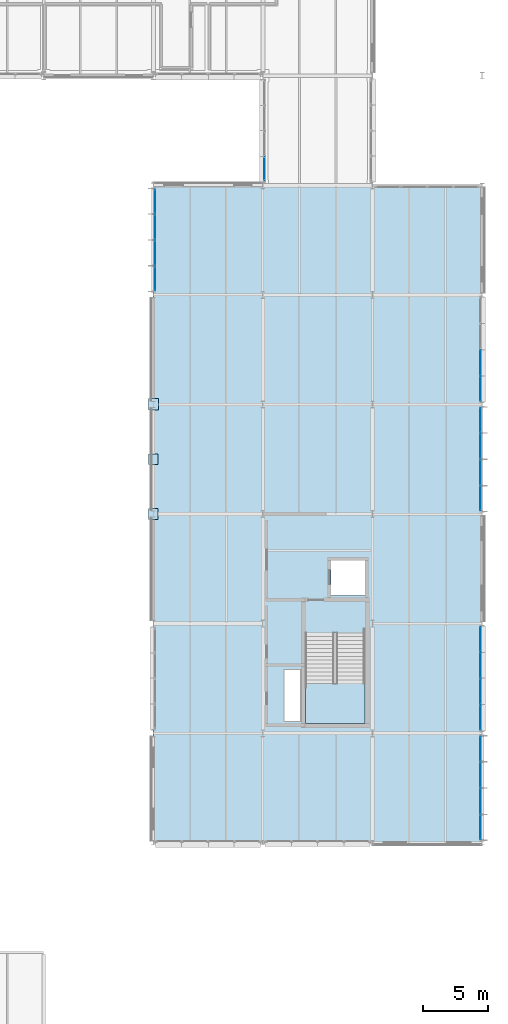
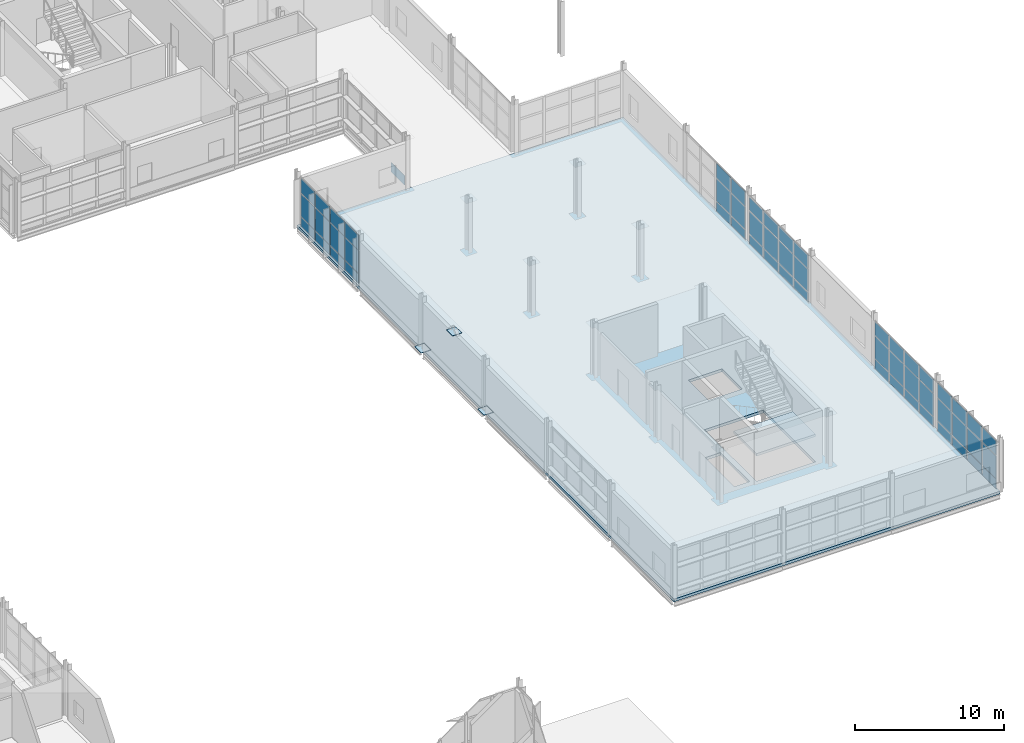
# One storey, part 90 of 129: 58 plates, 2 slabs, 7 elements without a shape of their own.
"""IFC4 building model written with IfcOpenShell, lengths in metres."""

from ifc_helpers import new_model, si_unit, direction, frame, origin, origin_2d, place, context, subcontext, project, spatial, polyline, rectangle, outline, extrude, material, layer, layer_set, type_object, element, aggregate, save


model = new_model("IFC4")

# Units and contexts
model_context = context("Model", 3, precision=1e-05, world=origin(), true_north=direction((0.0, 1.0)))
body_context = subcontext(model_context, "Body", "Model", "MODEL_VIEW")
ifc_project = project(units=[si_unit("LENGTHUNIT", "METRE"), si_unit("AREAUNIT", "SQUARE_METRE"), si_unit("VOLUMEUNIT", "CUBIC_METRE"), si_unit("PLANEANGLEUNIT", "RADIAN"), si_unit("MASSUNIT", "GRAM", prefix="KILO")], contexts=[model_context])

# Site, building, storey
site_placement = place(None, origin())
site = spatial("IfcSite", under=ifc_project, at=site_placement, CompositionType="ELEMENT")
building_placement = place(site_placement, origin())
building = spatial("IfcBuilding", under=site, at=building_placement, Name="Mersafa Astral City Hall", CompositionType="ELEMENT")
storey_placement = place(building_placement, frame((0.0, 0.0, 5.39990234375)))
storey = spatial("IfcBuildingStorey", under=building, at=storey_placement, Name="L01", CompositionType="ELEMENT", Elevation=5.39990234375)

# Curtain wall, plates
ifc_material_1 = material(Name="Anodised bronze aluminium framing", Category="aluminium")
curtain_wall_type_1 = type_object("IfcCurtainWallType", Name="ENV-CW-1", PredefinedType="USERDEFINED", material=ifc_material_1)
curtain_wall_1_placement = place(storey_placement, origin())
curtain_wall_1 = element("IfcCurtainWall", 1, at=curtain_wall_1_placement, inside=storey, type_object=curtain_wall_type_1, Name="L01 Unitised solar curtain wall 72", ObjectType="UNITISED CURTAIN WALL", PredefinedType="USERDEFINED")
ifc_material_2 = material(Name="Solar control low-e double glazing", Category="glass")
ifc_layer_1 = layer(ifc_material_2, 0.028076171875, Name="Solar control low-e double glazing")
ifc_layer_set_1 = layer_set([ifc_layer_1], Name="Solar control low-e double glazing — ENV-CW-PNL-GLZ-1")
plate_type_1 = type_object("IfcPlateType", Name="ENV-CW-PNL-GLZ-1", PredefinedType="CURTAIN_PANEL", material=ifc_layer_set_1)
plate_1_placement = place(storey_placement, frame((184.679931640625, 68.401611328125, 0.05810546875), z_axis=(0.0, 0.0, 1.0), x_axis=(0.0, 1.0, 0.0)))
plate_1 = element("IfcPlate", 2, at=plate_1_placement, type_object=plate_type_1, Name="CW-1 panel 1.1", PredefinedType="CURTAIN_PANEL", context=body_context, shape_type="SweptSolid", body=[
    extrude(rectangle(XDim=1.839111328125, YDim=0.028076171875, at=origin_2d()), origin(), (0.0, 0.0, 1.0), 0.761962890625),
])
plate_2_placement = place(storey_placement, frame((184.679931640625, 68.401611328125, 0.8798828125), z_axis=(0.0, 0.0, 1.0), x_axis=(0.0, 1.0, 0.0)))
plate_2 = element("IfcPlate", 3, at=plate_2_placement, type_object=plate_type_1, Name="CW-1 panel 1.2", PredefinedType="CURTAIN_PANEL", context=body_context, shape_type="SweptSolid", body=[
    extrude(rectangle(XDim=1.839111328125, YDim=0.028076171875, at=origin_2d()), origin(), (0.0, 0.0, 1.0), 1.840087890625),
])
plate_3_placement = place(storey_placement, frame((184.679931640625, 68.401611328125, 2.7802734375), z_axis=(0.0, 0.0, 1.0), x_axis=(0.0, 1.0, 0.0)))
plate_3 = element("IfcPlate", 4, at=plate_3_placement, type_object=plate_type_1, Name="CW-1 panel 1.3", PredefinedType="CURTAIN_PANEL", context=body_context, shape_type="SweptSolid", body=[
    extrude(rectangle(XDim=1.839111328125, YDim=0.028076171875, at=origin_2d()), origin(), (0.0, 0.0, 1.0), 1.096923828125),
])
plate_4_placement = place(storey_placement, frame((184.679931640625, 70.390380859375, 0.05810546875), z_axis=(0.0, 0.0, 1.0), x_axis=(0.0, 1.0, 0.0)))
plate_4 = element("IfcPlate", 5, at=plate_4_placement, type_object=plate_type_1, Name="CW-1 panel 2.1", PredefinedType="CURTAIN_PANEL", context=body_context, shape_type="SweptSolid", body=[
    extrude(rectangle(XDim=1.89892578125, YDim=0.028076171875, at=origin_2d()), origin(), (0.0, 0.0, 1.0), 0.761962890625),
])
plate_5_placement = place(storey_placement, frame((184.679931640625, 70.390380859375, 0.8798828125), z_axis=(0.0, 0.0, 1.0), x_axis=(0.0, 1.0, 0.0)))
plate_5 = element("IfcPlate", 6, at=plate_5_placement, type_object=plate_type_1, Name="CW-1 panel 2.2", PredefinedType="CURTAIN_PANEL", context=body_context, shape_type="SweptSolid", body=[
    extrude(rectangle(XDim=1.89892578125, YDim=0.028076171875, at=origin_2d()), origin(), (0.0, 0.0, 1.0), 1.840087890625),
])
plate_6_placement = place(storey_placement, frame((184.679931640625, 70.390380859375, 2.7802734375), z_axis=(0.0, 0.0, 1.0), x_axis=(0.0, 1.0, 0.0)))
plate_6 = element("IfcPlate", 7, at=plate_6_placement, type_object=plate_type_1, Name="CW-1 panel 2.3", PredefinedType="CURTAIN_PANEL", context=body_context, shape_type="SweptSolid", body=[
    extrude(rectangle(XDim=1.89892578125, YDim=0.028076171875, at=origin_2d()), origin(), (0.0, 0.0, 1.0), 1.096923828125),
])
plate_7_placement = place(storey_placement, frame((184.679931640625, 72.409423828125, 0.05810546875), z_axis=(0.0, 0.0, 1.0), x_axis=(0.0, 1.0, 0.0)))
plate_7 = element("IfcPlate", 8, at=plate_7_placement, type_object=plate_type_1, Name="CW-1 panel 3.1", PredefinedType="CURTAIN_PANEL", context=body_context, shape_type="SweptSolid", body=[
    extrude(rectangle(XDim=1.89892578125, YDim=0.028076171875, at=origin_2d()), origin(), (0.0, 0.0, 1.0), 0.761962890625),
])
plate_8_placement = place(storey_placement, frame((184.679931640625, 72.409423828125, 0.8798828125), z_axis=(0.0, 0.0, 1.0), x_axis=(0.0, 1.0, 0.0)))
plate_8 = element("IfcPlate", 9, at=plate_8_placement, type_object=plate_type_1, Name="CW-1 panel 3.2", PredefinedType="CURTAIN_PANEL", context=body_context, shape_type="SweptSolid", body=[
    extrude(rectangle(XDim=1.89892578125, YDim=0.028076171875, at=origin_2d()), origin(), (0.0, 0.0, 1.0), 1.840087890625),
])
plate_9_placement = place(storey_placement, frame((184.679931640625, 72.409423828125, 2.7802734375), z_axis=(0.0, 0.0, 1.0), x_axis=(0.0, 1.0, 0.0)))
plate_9 = element("IfcPlate", 10, at=plate_9_placement, type_object=plate_type_1, Name="CW-1 panel 3.3", PredefinedType="CURTAIN_PANEL", context=body_context, shape_type="SweptSolid", body=[
    extrude(rectangle(XDim=1.89892578125, YDim=0.028076171875, at=origin_2d()), origin(), (0.0, 0.0, 1.0), 1.096923828125),
])
plate_10_placement = place(storey_placement, frame((184.679931640625, 74.3984375, 0.05810546875), z_axis=(0.0, 0.0, 1.0), x_axis=(0.0, 1.0, 0.0)))
plate_10 = element("IfcPlate", 11, at=plate_10_placement, type_object=plate_type_1, Name="CW-1 panel 4.1", PredefinedType="CURTAIN_PANEL", context=body_context, shape_type="SweptSolid", body=[
    extrude(rectangle(XDim=1.839111328125, YDim=0.028076171875, at=origin_2d()), origin(), (0.0, 0.0, 1.0), 0.761962890625),
])
plate_11_placement = place(storey_placement, frame((184.679931640625, 74.3984375, 0.8798828125), z_axis=(0.0, 0.0, 1.0), x_axis=(0.0, 1.0, 0.0)))
plate_11 = element("IfcPlate", 12, at=plate_11_placement, type_object=plate_type_1, Name="CW-1 panel 4.2", PredefinedType="CURTAIN_PANEL", context=body_context, shape_type="SweptSolid", body=[
    extrude(rectangle(XDim=1.839111328125, YDim=0.028076171875, at=origin_2d()), origin(), (0.0, 0.0, 1.0), 1.840087890625),
])
plate_12_placement = place(storey_placement, frame((184.679931640625, 74.3984375, 2.7802734375), z_axis=(0.0, 0.0, 1.0), x_axis=(0.0, 1.0, 0.0)))
plate_12 = element("IfcPlate", 13, at=plate_12_placement, type_object=plate_type_1, Name="CW-1 panel 4.3", PredefinedType="CURTAIN_PANEL", context=body_context, shape_type="SweptSolid", body=[
    extrude(rectangle(XDim=1.839111328125, YDim=0.028076171875, at=origin_2d()), origin(), (0.0, 0.0, 1.0), 1.096923828125),
])
aggregate(curtain_wall_1, [plate_1, plate_2, plate_3, plate_4, plate_5, plate_6, plate_7, plate_8, plate_9, plate_10, plate_11, plate_12])

# Curtain wall, plate
curtain_wall_type_2 = type_object("IfcCurtainWallType", Name="ENV-CW-6", PredefinedType="USERDEFINED", material=ifc_material_1)
curtain_wall_2_placement = place(storey_placement, origin())
curtain_wall_2 = element("IfcCurtainWall", 14, at=curtain_wall_2_placement, inside=storey, type_object=curtain_wall_type_2, Name="L01 Unitised solar curtain wall 65", ObjectType="UNITISED CURTAIN WALL", PredefinedType="USERDEFINED")
ifc_layer_2 = layer(ifc_material_2, 0.031982421875, Name="Solar control low-e double glazing")
ifc_layer_set_2 = layer_set([ifc_layer_2], Name="Solar control low-e double glazing — ENV-CW-PNL-GLZ-2")
plate_type_2 = type_object("IfcPlateType", Name="ENV-CW-PNL-GLZ-2", PredefinedType="CURTAIN_PANEL", material=ifc_layer_set_2)
plate_13_placement = place(storey_placement, frame((168.1201171875, 93.670166015625, 0.05810546875), z_axis=(0.0, 0.0, 1.0), x_axis=(0.0, -1.0, 0.0)))
plate_13 = element("IfcPlate", 15, at=plate_13_placement, type_object=plate_type_2, Name="CW-6 panel 4.1", PredefinedType="CURTAIN_PANEL", context=body_context, shape_type="SweptSolid", body=[
    extrude(rectangle(XDim=1.776611328125, YDim=0.031982421875, at=origin_2d()), origin(), (0.0, 0.0, 1.0), 0.761962890625),
])
aggregate(curtain_wall_2, [plate_13])

# Curtain wall, plates
curtain_wall_type_3 = type_object("IfcCurtainWallType", Name="ENV-CW-2", PredefinedType="USERDEFINED", material=ifc_material_1)
curtain_wall_3_placement = place(storey_placement, origin())
curtain_wall_3 = element("IfcCurtainWall", 16, at=curtain_wall_3_placement, inside=storey, type_object=curtain_wall_type_3, Name="L01 Unitised solar curtain wall 73", ObjectType="UNITISED CURTAIN WALL", PredefinedType="USERDEFINED")
plate_14_placement = place(storey_placement, frame((184.679931640625, 76.801513671875, 0.05810546875), z_axis=(0.0, 0.0, 1.0), x_axis=(0.0, 1.0, 0.0)))
plate_14 = element("IfcPlate", 17, at=plate_14_placement, type_object=plate_type_2, Name="CW-2 panel 1.1", PredefinedType="CURTAIN_PANEL", context=body_context, shape_type="SweptSolid", body=[
    extrude(rectangle(XDim=1.839111328125, YDim=0.031982421875, at=origin_2d()), origin(), (0.0, 0.0, 1.0), 0.761962890625),
])
plate_15_placement = place(storey_placement, frame((184.679931640625, 76.801513671875, 0.8798828125), z_axis=(0.0, 0.0, 1.0), x_axis=(0.0, 1.0, 0.0)))
plate_15 = element("IfcPlate", 18, at=plate_15_placement, type_object=plate_type_2, Name="CW-2 panel 1.2", PredefinedType="CURTAIN_PANEL", context=body_context, shape_type="SweptSolid", body=[
    extrude(rectangle(XDim=1.839111328125, YDim=0.031982421875, at=origin_2d()), origin(), (0.0, 0.0, 1.0), 1.840087890625),
])
plate_16_placement = place(storey_placement, frame((184.679931640625, 76.801513671875, 2.780029296875), z_axis=(0.0, 0.0, 1.0), x_axis=(0.0, 1.0, 0.0)))
plate_16 = element("IfcPlate", 19, at=plate_16_placement, type_object=plate_type_2, Name="CW-2 panel 1.3", PredefinedType="CURTAIN_PANEL", context=body_context, shape_type="SweptSolid", body=[
    extrude(rectangle(XDim=1.839111328125, YDim=0.031982421875, at=origin_2d()), origin(), (0.0, 0.0, 1.0), 1.18701171875),
])
plate_17_placement = place(storey_placement, frame((184.679931640625, 78.79052734375, 0.05810546875), z_axis=(0.0, 0.0, 1.0), x_axis=(0.0, 1.0, 0.0)))
plate_17 = element("IfcPlate", 20, at=plate_17_placement, type_object=plate_type_2, Name="CW-2 panel 2.1", PredefinedType="CURTAIN_PANEL", context=body_context, shape_type="SweptSolid", body=[
    extrude(rectangle(XDim=1.89892578125, YDim=0.031982421875, at=origin_2d()), origin(), (0.0, 0.0, 1.0), 0.761962890625),
])
plate_18_placement = place(storey_placement, frame((184.679931640625, 78.79052734375, 0.8798828125), z_axis=(0.0, 0.0, 1.0), x_axis=(0.0, 1.0, 0.0)))
plate_18 = element("IfcPlate", 21, at=plate_18_placement, type_object=plate_type_2, Name="CW-2 panel 2.2", PredefinedType="CURTAIN_PANEL", context=body_context, shape_type="SweptSolid", body=[
    extrude(rectangle(XDim=1.89892578125, YDim=0.031982421875, at=origin_2d()), origin(), (0.0, 0.0, 1.0), 1.840087890625),
])
plate_19_placement = place(storey_placement, frame((184.679931640625, 78.79052734375, 2.780029296875), z_axis=(0.0, 0.0, 1.0), x_axis=(0.0, 1.0, 0.0)))
plate_19 = element("IfcPlate", 22, at=plate_19_placement, type_object=plate_type_2, Name="CW-2 panel 2.3", PredefinedType="CURTAIN_PANEL", context=body_context, shape_type="SweptSolid", body=[
    extrude(rectangle(XDim=1.89892578125, YDim=0.031982421875, at=origin_2d()), origin(), (0.0, 0.0, 1.0), 1.18701171875),
])
aggregate(curtain_wall_3, [plate_14, plate_15, plate_16, plate_17, plate_18, plate_19])

curtain_wall_4_placement = place(storey_placement, origin())
curtain_wall_4 = element("IfcCurtainWall", 23, at=curtain_wall_4_placement, inside=storey, type_object=curtain_wall_type_1, Name="L01 Unitised solar curtain wall 66", ObjectType="UNITISED CURTAIN WALL", PredefinedType="USERDEFINED")
ifc_layer_3 = layer(ifc_material_2, 0.035888671875, Name="Solar control low-e double glazing")
ifc_layer_set_3 = layer_set([ifc_layer_3], Name="Solar control low-e double glazing — ENV-CW-PNL-GLZ-3")
plate_type_3 = type_object("IfcPlateType", Name="ENV-CW-PNL-GLZ-3", PredefinedType="CURTAIN_PANEL", material=ifc_layer_set_3)
plate_20_placement = place(storey_placement, frame((159.719970703125, 91.1640625, 0.05810546875), z_axis=(0.0, 0.0, 1.0), x_axis=(0.0, -1.0, 0.0)))
plate_20 = element("IfcPlate", 24, at=plate_20_placement, type_object=plate_type_3, Name="CW-1 panel 1.1", PredefinedType="CURTAIN_PANEL", context=body_context, shape_type="SweptSolid", body=[
    extrude(rectangle(XDim=1.807861328125, YDim=0.035888671875, at=origin_2d()), origin(), (0.0, 0.0, 1.0), 0.761962890625),
])
plate_21_placement = place(storey_placement, frame((159.719970703125, 91.1640625, 0.8798828125), z_axis=(0.0, 0.0, 1.0), x_axis=(0.0, -1.0, 0.0)))
plate_21 = element("IfcPlate", 25, at=plate_21_placement, type_object=plate_type_3, Name="CW-1 panel 1.2", PredefinedType="CURTAIN_PANEL", context=body_context, shape_type="SweptSolid", body=[
    extrude(rectangle(XDim=1.807861328125, YDim=0.035888671875, at=origin_2d()), origin(), (0.0, 0.0, 1.0), 1.840087890625),
])
plate_22_placement = place(storey_placement, frame((159.719970703125, 91.1640625, 2.780029296875), z_axis=(0.0, 0.0, 1.0), x_axis=(0.0, -1.0, 0.0)))
plate_22 = element("IfcPlate", 26, at=plate_22_placement, type_object=plate_type_3, Name="CW-1 panel 1.3", PredefinedType="CURTAIN_PANEL", context=body_context, shape_type="SweptSolid", body=[
    extrude(rectangle(XDim=1.807861328125, YDim=0.035888671875, at=origin_2d()), origin(), (0.0, 0.0, 1.0), 1.18701171875),
])
plate_23_placement = place(storey_placement, frame((159.719970703125, 89.206298828125, 0.05810546875), z_axis=(0.0, 0.0, 1.0), x_axis=(0.0, -1.0, 0.0)))
plate_23 = element("IfcPlate", 27, at=plate_23_placement, type_object=plate_type_3, Name="CW-1 panel 2.1", PredefinedType="CURTAIN_PANEL", context=body_context, shape_type="SweptSolid", body=[
    extrude(rectangle(XDim=1.86767578125, YDim=0.035888671875, at=origin_2d()), origin(), (0.0, 0.0, 1.0), 0.761962890625),
])
plate_24_placement = place(storey_placement, frame((159.719970703125, 89.206298828125, 0.8798828125), z_axis=(0.0, 0.0, 1.0), x_axis=(0.0, -1.0, 0.0)))
plate_24 = element("IfcPlate", 28, at=plate_24_placement, type_object=plate_type_3, Name="CW-1 panel 2.2", PredefinedType="CURTAIN_PANEL", context=body_context, shape_type="SweptSolid", body=[
    extrude(rectangle(XDim=1.86767578125, YDim=0.035888671875, at=origin_2d()), origin(), (0.0, 0.0, 1.0), 1.840087890625),
])
plate_25_placement = place(storey_placement, frame((159.719970703125, 89.206298828125, 2.780029296875), z_axis=(0.0, 0.0, 1.0), x_axis=(0.0, -1.0, 0.0)))
plate_25 = element("IfcPlate", 29, at=plate_25_placement, type_object=plate_type_3, Name="CW-1 panel 2.3", PredefinedType="CURTAIN_PANEL", context=body_context, shape_type="SweptSolid", body=[
    extrude(rectangle(XDim=1.86767578125, YDim=0.035888671875, at=origin_2d()), origin(), (0.0, 0.0, 1.0), 1.18701171875),
])
plate_26_placement = place(storey_placement, frame((159.719970703125, 87.218505859375, 0.05810546875), z_axis=(0.0, 0.0, 1.0), x_axis=(0.0, -1.0, 0.0)))
plate_26 = element("IfcPlate", 30, at=plate_26_placement, type_object=plate_type_3, Name="CW-1 panel 3.1", PredefinedType="CURTAIN_PANEL", context=body_context, shape_type="SweptSolid", body=[
    extrude(rectangle(XDim=1.86767578125, YDim=0.035888671875, at=origin_2d()), origin(), (0.0, 0.0, 1.0), 0.761962890625),
])
plate_27_placement = place(storey_placement, frame((159.719970703125, 87.218505859375, 0.8798828125), z_axis=(0.0, 0.0, 1.0), x_axis=(0.0, -1.0, 0.0)))
plate_27 = element("IfcPlate", 31, at=plate_27_placement, type_object=plate_type_3, Name="CW-1 panel 3.2", PredefinedType="CURTAIN_PANEL", context=body_context, shape_type="SweptSolid", body=[
    extrude(rectangle(XDim=1.86767578125, YDim=0.035888671875, at=origin_2d()), origin(), (0.0, 0.0, 1.0), 1.840087890625),
])
plate_28_placement = place(storey_placement, frame((159.719970703125, 87.218505859375, 2.780029296875), z_axis=(0.0, 0.0, 1.0), x_axis=(0.0, -1.0, 0.0)))
plate_28 = element("IfcPlate", 32, at=plate_28_placement, type_object=plate_type_3, Name="CW-1 panel 3.3", PredefinedType="CURTAIN_PANEL", context=body_context, shape_type="SweptSolid", body=[
    extrude(rectangle(XDim=1.86767578125, YDim=0.035888671875, at=origin_2d()), origin(), (0.0, 0.0, 1.0), 1.18701171875),
])
plate_29_placement = place(storey_placement, frame((159.719970703125, 85.260986328125, 0.05810546875), z_axis=(0.0, 0.0, 1.0), x_axis=(0.0, -1.0, 0.0)))
plate_29 = element("IfcPlate", 33, at=plate_29_placement, type_object=plate_type_3, Name="CW-1 panel 4.1", PredefinedType="CURTAIN_PANEL", context=body_context, shape_type="SweptSolid", body=[
    extrude(rectangle(XDim=1.807861328125, YDim=0.035888671875, at=origin_2d()), origin(), (0.0, 0.0, 1.0), 0.761962890625),
])
plate_30_placement = place(storey_placement, frame((159.719970703125, 85.260986328125, 0.8798828125), z_axis=(0.0, 0.0, 1.0), x_axis=(0.0, -1.0, 0.0)))
plate_30 = element("IfcPlate", 34, at=plate_30_placement, type_object=plate_type_3, Name="CW-1 panel 4.2", PredefinedType="CURTAIN_PANEL", context=body_context, shape_type="SweptSolid", body=[
    extrude(rectangle(XDim=1.807861328125, YDim=0.035888671875, at=origin_2d()), origin(), (0.0, 0.0, 1.0), 1.840087890625),
])
plate_31_placement = place(storey_placement, frame((159.719970703125, 85.260986328125, 2.780029296875), z_axis=(0.0, 0.0, 1.0), x_axis=(0.0, -1.0, 0.0)))
plate_31 = element("IfcPlate", 35, at=plate_31_placement, type_object=plate_type_3, Name="CW-1 panel 4.3", PredefinedType="CURTAIN_PANEL", context=body_context, shape_type="SweptSolid", body=[
    extrude(rectangle(XDim=1.807861328125, YDim=0.035888671875, at=origin_2d()), origin(), (0.0, 0.0, 1.0), 1.18701171875),
])
aggregate(curtain_wall_4, [plate_20, plate_21, plate_22, plate_23, plate_24, plate_25, plate_26, plate_27, plate_28, plate_29, plate_30, plate_31])

curtain_wall_type_4 = type_object("IfcCurtainWallType", Name="ENV-CW-5", PredefinedType="USERDEFINED", material=ifc_material_1)
curtain_wall_5_placement = place(storey_placement, origin())
curtain_wall_5 = element("IfcCurtainWall", 36, at=curtain_wall_5_placement, inside=storey, type_object=curtain_wall_type_4, Name="L01 Unitised solar curtain wall 70", ObjectType="UNITISED CURTAIN WALL", PredefinedType="USERDEFINED")
plate_32_placement = place(storey_placement, frame((184.679931640625, 43.201416015625, 0.05810546875), z_axis=(0.0, 0.0, 1.0), x_axis=(0.0, 1.0, 0.0)))
plate_32 = element("IfcPlate", 37, at=plate_32_placement, type_object=plate_type_3, Name="CW-5 panel 1.1", PredefinedType="CURTAIN_PANEL", context=body_context, shape_type="SweptSolid", body=[
    extrude(rectangle(XDim=1.839111328125, YDim=0.035888671875, at=origin_2d()), origin(), (0.0, 0.0, 1.0), 0.761962890625),
])
plate_33_placement = place(storey_placement, frame((184.679931640625, 43.201416015625, 0.8798828125), z_axis=(0.0, 0.0, 1.0), x_axis=(0.0, 1.0, 0.0)))
plate_33 = element("IfcPlate", 38, at=plate_33_placement, type_object=plate_type_3, Name="CW-5 panel 1.2", PredefinedType="CURTAIN_PANEL", context=body_context, shape_type="SweptSolid", body=[
    extrude(rectangle(XDim=1.839111328125, YDim=0.035888671875, at=origin_2d()), origin(), (0.0, 0.0, 1.0), 1.840087890625),
])
plate_34_placement = place(storey_placement, frame((184.679931640625, 43.201416015625, 2.780029296875), z_axis=(0.0, 0.0, 1.0), x_axis=(0.0, 1.0, 0.0)))
plate_34 = element("IfcPlate", 39, at=plate_34_placement, type_object=plate_type_3, Name="CW-5 panel 1.3", PredefinedType="CURTAIN_PANEL", context=body_context, shape_type="SweptSolid", body=[
    extrude(rectangle(XDim=1.839111328125, YDim=0.035888671875, at=origin_2d()), origin(), (0.0, 0.0, 1.0), 1.18701171875),
])
plate_35_placement = place(storey_placement, frame((184.679931640625, 45.1904296875, 0.05810546875), z_axis=(0.0, 0.0, 1.0), x_axis=(0.0, 1.0, 0.0)))
plate_35 = element("IfcPlate", 40, at=plate_35_placement, type_object=plate_type_3, Name="CW-5 panel 2.1", PredefinedType="CURTAIN_PANEL", context=body_context, shape_type="SweptSolid", body=[
    extrude(rectangle(XDim=1.89892578125, YDim=0.035888671875, at=origin_2d()), origin(), (0.0, 0.0, 1.0), 0.761962890625),
])
plate_36_placement = place(storey_placement, frame((184.679931640625, 45.1904296875, 0.8798828125), z_axis=(0.0, 0.0, 1.0), x_axis=(0.0, 1.0, 0.0)))
plate_36 = element("IfcPlate", 41, at=plate_36_placement, type_object=plate_type_3, Name="CW-5 panel 2.2", PredefinedType="CURTAIN_PANEL", context=body_context, shape_type="SweptSolid", body=[
    extrude(rectangle(XDim=1.89892578125, YDim=0.035888671875, at=origin_2d()), origin(), (0.0, 0.0, 1.0), 1.840087890625),
])
plate_37_placement = place(storey_placement, frame((184.679931640625, 45.1904296875, 2.780029296875), z_axis=(0.0, 0.0, 1.0), x_axis=(0.0, 1.0, 0.0)))
plate_37 = element("IfcPlate", 42, at=plate_37_placement, type_object=plate_type_3, Name="CW-5 panel 2.3", PredefinedType="CURTAIN_PANEL", context=body_context, shape_type="SweptSolid", body=[
    extrude(rectangle(XDim=1.89892578125, YDim=0.035888671875, at=origin_2d()), origin(), (0.0, 0.0, 1.0), 1.18701171875),
])
plate_38_placement = place(storey_placement, frame((184.679931640625, 47.20947265625, 0.05810546875), z_axis=(0.0, 0.0, 1.0), x_axis=(0.0, 1.0, 0.0)))
plate_38 = element("IfcPlate", 43, at=plate_38_placement, type_object=plate_type_3, Name="CW-5 panel 3.1", PredefinedType="CURTAIN_PANEL", context=body_context, shape_type="SweptSolid", body=[
    extrude(rectangle(XDim=1.89892578125, YDim=0.035888671875, at=origin_2d()), origin(), (0.0, 0.0, 1.0), 0.761962890625),
])
plate_39_placement = place(storey_placement, frame((184.679931640625, 47.20947265625, 0.8798828125), z_axis=(0.0, 0.0, 1.0), x_axis=(0.0, 1.0, 0.0)))
plate_39 = element("IfcPlate", 44, at=plate_39_placement, type_object=plate_type_3, Name="CW-5 panel 3.2", PredefinedType="CURTAIN_PANEL", context=body_context, shape_type="SweptSolid", body=[
    extrude(rectangle(XDim=1.89892578125, YDim=0.035888671875, at=origin_2d()), origin(), (0.0, 0.0, 1.0), 1.840087890625),
])
plate_40_placement = place(storey_placement, frame((184.679931640625, 47.20947265625, 2.780029296875), z_axis=(0.0, 0.0, 1.0), x_axis=(0.0, 1.0, 0.0)))
plate_40 = element("IfcPlate", 45, at=plate_40_placement, type_object=plate_type_3, Name="CW-5 panel 3.3", PredefinedType="CURTAIN_PANEL", context=body_context, shape_type="SweptSolid", body=[
    extrude(rectangle(XDim=1.89892578125, YDim=0.035888671875, at=origin_2d()), origin(), (0.0, 0.0, 1.0), 1.18701171875),
])
plate_41_placement = place(storey_placement, frame((184.679931640625, 49.198486328125, 0.05810546875), z_axis=(0.0, 0.0, 1.0), x_axis=(0.0, 1.0, 0.0)))
plate_41 = element("IfcPlate", 46, at=plate_41_placement, type_object=plate_type_3, Name="CW-5 panel 4.1", PredefinedType="CURTAIN_PANEL", context=body_context, shape_type="SweptSolid", body=[
    extrude(rectangle(XDim=1.839111328125, YDim=0.035888671875, at=origin_2d()), origin(), (0.0, 0.0, 1.0), 0.761962890625),
])
plate_42_placement = place(storey_placement, frame((184.679931640625, 49.198486328125, 0.8798828125), z_axis=(0.0, 0.0, 1.0), x_axis=(0.0, 1.0, 0.0)))
plate_42 = element("IfcPlate", 47, at=plate_42_placement, type_object=plate_type_3, Name="CW-5 panel 4.2", PredefinedType="CURTAIN_PANEL", context=body_context, shape_type="SweptSolid", body=[
    extrude(rectangle(XDim=1.839111328125, YDim=0.035888671875, at=origin_2d()), origin(), (0.0, 0.0, 1.0), 1.840087890625),
])
plate_43_placement = place(storey_placement, frame((184.679931640625, 49.198486328125, 2.780029296875), z_axis=(0.0, 0.0, 1.0), x_axis=(0.0, 1.0, 0.0)))
plate_43 = element("IfcPlate", 48, at=plate_43_placement, type_object=plate_type_3, Name="CW-5 panel 4.3", PredefinedType="CURTAIN_PANEL", context=body_context, shape_type="SweptSolid", body=[
    extrude(rectangle(XDim=1.839111328125, YDim=0.035888671875, at=origin_2d()), origin(), (0.0, 0.0, 1.0), 1.18701171875),
])
aggregate(curtain_wall_5, [plate_32, plate_33, plate_34, plate_35, plate_36, plate_37, plate_38, plate_39, plate_40, plate_41, plate_42, plate_43])

curtain_wall_6_placement = place(storey_placement, origin())
curtain_wall_6 = element("IfcCurtainWall", 49, at=curtain_wall_6_placement, inside=storey, type_object=curtain_wall_type_2, Name="L01 Unitised solar curtain wall 71", ObjectType="UNITISED CURTAIN WALL", PredefinedType="USERDEFINED")
ifc_layer_4 = layer(ifc_material_2, 0.0400390625, Name="Solar control low-e double glazing")
ifc_layer_set_4 = layer_set([ifc_layer_4], Name="Solar control low-e double glazing — ENV-CW-PNL-GLZ-4")
plate_type_4 = type_object("IfcPlateType", Name="ENV-CW-PNL-GLZ-4", PredefinedType="CURTAIN_PANEL", material=ifc_layer_set_4)
plate_44_placement = place(storey_placement, frame((184.679931640625, 51.6015625, 0.05810546875), z_axis=(0.0, 0.0, 1.0), x_axis=(0.0, 1.0, 0.0)))
plate_44 = element("IfcPlate", 50, at=plate_44_placement, type_object=plate_type_4, Name="CW-6 panel 1.1", PredefinedType="CURTAIN_PANEL", context=body_context, shape_type="SweptSolid", body=[
    extrude(rectangle(XDim=1.839111328125, YDim=0.0400390625, at=origin_2d()), origin(), (0.0, 0.0, 1.0), 0.761962890625),
])
plate_45_placement = place(storey_placement, frame((184.679931640625, 51.6015625, 0.8798828125), z_axis=(0.0, 0.0, 1.0), x_axis=(0.0, 1.0, 0.0)))
plate_45 = element("IfcPlate", 51, at=plate_45_placement, type_object=plate_type_4, Name="CW-6 panel 1.2", PredefinedType="CURTAIN_PANEL", context=body_context, shape_type="SweptSolid", body=[
    extrude(rectangle(XDim=1.839111328125, YDim=0.0400390625, at=origin_2d()), origin(), (0.0, 0.0, 1.0), 1.840087890625),
])
plate_46_placement = place(storey_placement, frame((184.679931640625, 51.6015625, 2.7802734375), z_axis=(0.0, 0.0, 1.0), x_axis=(0.0, 1.0, 0.0)))
plate_46 = element("IfcPlate", 52, at=plate_46_placement, type_object=plate_type_4, Name="CW-6 panel 1.3", PredefinedType="CURTAIN_PANEL", context=body_context, shape_type="SweptSolid", body=[
    extrude(rectangle(XDim=1.839111328125, YDim=0.0400390625, at=origin_2d()), origin(), (0.0, 0.0, 1.0), 1.096923828125),
])
plate_47_placement = place(storey_placement, frame((184.679931640625, 53.590576171875, 0.05810546875), z_axis=(0.0, 0.0, 1.0), x_axis=(0.0, 1.0, 0.0)))
plate_47 = element("IfcPlate", 53, at=plate_47_placement, type_object=plate_type_4, Name="CW-6 panel 2.1", PredefinedType="CURTAIN_PANEL", context=body_context, shape_type="SweptSolid", body=[
    extrude(rectangle(XDim=1.89892578125, YDim=0.0400390625, at=origin_2d()), origin(), (0.0, 0.0, 1.0), 0.761962890625),
])
plate_48_placement = place(storey_placement, frame((184.679931640625, 53.590576171875, 0.8798828125), z_axis=(0.0, 0.0, 1.0), x_axis=(0.0, 1.0, 0.0)))
plate_48 = element("IfcPlate", 54, at=plate_48_placement, type_object=plate_type_4, Name="CW-6 panel 2.2", PredefinedType="CURTAIN_PANEL", context=body_context, shape_type="SweptSolid", body=[
    extrude(rectangle(XDim=1.89892578125, YDim=0.0400390625, at=origin_2d()), origin(), (0.0, 0.0, 1.0), 1.840087890625),
])
plate_49_placement = place(storey_placement, frame((184.679931640625, 53.590576171875, 2.7802734375), z_axis=(0.0, 0.0, 1.0), x_axis=(0.0, 1.0, 0.0)))
plate_49 = element("IfcPlate", 55, at=plate_49_placement, type_object=plate_type_4, Name="CW-6 panel 2.3", PredefinedType="CURTAIN_PANEL", context=body_context, shape_type="SweptSolid", body=[
    extrude(rectangle(XDim=1.89892578125, YDim=0.0400390625, at=origin_2d()), origin(), (0.0, 0.0, 1.0), 1.096923828125),
])
plate_50_placement = place(storey_placement, frame((184.679931640625, 55.609619140625, 0.05810546875), z_axis=(0.0, 0.0, 1.0), x_axis=(0.0, 1.0, 0.0)))
plate_50 = element("IfcPlate", 56, at=plate_50_placement, type_object=plate_type_4, Name="CW-6 panel 3.1", PredefinedType="CURTAIN_PANEL", context=body_context, shape_type="SweptSolid", body=[
    extrude(rectangle(XDim=1.89892578125, YDim=0.0400390625, at=origin_2d()), origin(), (0.0, 0.0, 1.0), 0.761962890625),
])
plate_51_placement = place(storey_placement, frame((184.679931640625, 55.609619140625, 0.8798828125), z_axis=(0.0, 0.0, 1.0), x_axis=(0.0, 1.0, 0.0)))
plate_51 = element("IfcPlate", 57, at=plate_51_placement, type_object=plate_type_4, Name="CW-6 panel 3.2", PredefinedType="CURTAIN_PANEL", context=body_context, shape_type="SweptSolid", body=[
    extrude(rectangle(XDim=1.89892578125, YDim=0.0400390625, at=origin_2d()), origin(), (0.0, 0.0, 1.0), 1.840087890625),
])
plate_52_placement = place(storey_placement, frame((184.679931640625, 55.609619140625, 2.7802734375), z_axis=(0.0, 0.0, 1.0), x_axis=(0.0, 1.0, 0.0)))
plate_52 = element("IfcPlate", 58, at=plate_52_placement, type_object=plate_type_4, Name="CW-6 panel 3.3", PredefinedType="CURTAIN_PANEL", context=body_context, shape_type="SweptSolid", body=[
    extrude(rectangle(XDim=1.89892578125, YDim=0.0400390625, at=origin_2d()), origin(), (0.0, 0.0, 1.0), 1.096923828125),
])
plate_53_placement = place(storey_placement, frame((184.679931640625, 57.598388671875, 0.05810546875), z_axis=(0.0, 0.0, 1.0), x_axis=(0.0, 1.0, 0.0)))
plate_53 = element("IfcPlate", 59, at=plate_53_placement, type_object=plate_type_4, Name="CW-6 panel 4.1", PredefinedType="CURTAIN_PANEL", context=body_context, shape_type="SweptSolid", body=[
    extrude(rectangle(XDim=1.839111328125, YDim=0.0400390625, at=origin_2d()), origin(), (0.0, 0.0, 1.0), 0.761962890625),
])
plate_54_placement = place(storey_placement, frame((184.679931640625, 57.598388671875, 0.8798828125), z_axis=(0.0, 0.0, 1.0), x_axis=(0.0, 1.0, 0.0)))
plate_54 = element("IfcPlate", 60, at=plate_54_placement, type_object=plate_type_4, Name="CW-6 panel 4.2", PredefinedType="CURTAIN_PANEL", context=body_context, shape_type="SweptSolid", body=[
    extrude(rectangle(XDim=1.839111328125, YDim=0.0400390625, at=origin_2d()), origin(), (0.0, 0.0, 1.0), 1.840087890625),
])
plate_55_placement = place(storey_placement, frame((184.679931640625, 57.598388671875, 2.7802734375), z_axis=(0.0, 0.0, 1.0), x_axis=(0.0, 1.0, 0.0)))
plate_55 = element("IfcPlate", 61, at=plate_55_placement, type_object=plate_type_4, Name="CW-6 panel 4.3", PredefinedType="CURTAIN_PANEL", context=body_context, shape_type="SweptSolid", body=[
    extrude(rectangle(XDim=1.839111328125, YDim=0.0400390625, at=origin_2d()), origin(), (0.0, 0.0, 1.0), 1.096923828125),
])
aggregate(curtain_wall_6, [plate_44, plate_45, plate_46, plate_47, plate_48, plate_49, plate_50, plate_51, plate_52, plate_53, plate_54, plate_55])

# Stair, slab
ifc_material_3 = material(Name="Concrete C40/50", Category="concrete")
stair_type = type_object("IfcStairType", Name="STAIR", PredefinedType="HALF_TURN_STAIR", material=ifc_material_3)
stair_placement = place(storey_placement, origin())
stair = element("IfcStair", 62, at=stair_placement, inside=storey, type_object=stair_type, Name="L01 Protected Exit Stair ST4", PredefinedType="HALF_TURN_STAIR")
ifc_layer_5 = layer(ifc_material_3, 0.199951171875, Name="Concrete C40/50")
ifc_layer_set_5 = layer_set([ifc_layer_5], Name="Concrete C40/50 — STAIR-LANDING")
slab_type_1 = type_object("IfcSlabType", Name="STAIR-LANDING", PredefinedType="LANDING", material=ifc_layer_set_5)
slab_1_placement = place(storey_placement, frame((0.0, 0.0, 2.050048828125)))
slab_1 = element("IfcSlab", 63, at=slab_1_placement, type_object=slab_type_1, Name="ST4 landing 1", PredefinedType="LANDING", context=body_context, shape_type="SweptSolid", body=[
    extrude(outline(polyline([(171.260009765625, 54.199951171875), (171.260009765625, 51.14990234375), (175.820068359375, 51.14990234375), (175.820068359375, 54.199951171875), (171.260009765625, 54.199951171875)])), origin(), (0.0, 0.0, 1.0), 0.199951171875),
])
aggregate(stair, [slab_1])

# Plates
ifc_material_4 = material(Name="Steel S355", Category="steel")
ifc_layer_6 = layer(ifc_material_4, 0.028076171875, Name="Steel S355")
ifc_layer_set_6 = layer_set([ifc_layer_6], Name="Steel S355 — STR-PLT-NP-15")
plate_type_5 = type_object("IfcPlateType", Name="STR-PLT-NP-15", PredefinedType="SHEET", material=ifc_layer_set_6)
plate_56_placement = place(storey_placement, frame((159.60009765625, 71.39990234375, 4.02587890625), z_axis=(0.0, 0.0, 1.0), x_axis=(1.0, 0.0, 0.0)))
element("IfcPlate", 64, at=plate_56_placement, inside=storey, type_object=plate_type_5, Name="L01 Structural steel brace gusset plate NP-15", PredefinedType="SHEET", context=body_context, shape_type="SweptSolid", body=[
    extrude(rectangle(XDim=0.7099609375, YDim=0.820068359375, at=origin_2d()), origin(), (0.0, 0.0, 1.0), 0.028076171875),
])
ifc_layer_7 = layer(ifc_material_4, 0.029052734375, Name="Steel S355")
ifc_layer_set_7 = layer_set([ifc_layer_7], Name="Steel S355 — STR-PLT-NP-16")
plate_type_6 = type_object("IfcPlateType", Name="STR-PLT-NP-16", PredefinedType="SHEET", material=ifc_layer_set_7)
plate_57_placement = place(storey_placement, frame((159.60009765625, 67.197998046875, 0.10546875), z_axis=(0.0, 0.0, 1.0), x_axis=(1.0, 0.0, 0.0)))
element("IfcPlate", 65, at=plate_57_placement, inside=storey, type_object=plate_type_6, Name="L01 Structural steel brace gusset plate NP-16", PredefinedType="SHEET", context=body_context, shape_type="SweptSolid", body=[
    extrude(rectangle(XDim=0.735107421875, YDim=0.85009765625, at=origin_2d()), origin(), (0.0, 0.0, 1.0), 0.029052734375),
])
ifc_layer_8 = layer(ifc_material_4, 0.030029296875, Name="Steel S355")
ifc_layer_set_8 = layer_set([ifc_layer_8], Name="Steel S355 — STR-PLT-NP-17")
plate_type_7 = type_object("IfcPlateType", Name="STR-PLT-NP-17", PredefinedType="SHEET", material=ifc_layer_set_8)
plate_58_placement = place(storey_placement, frame((159.60009765625, 75.60205078125, 0.10498046875), z_axis=(0.0, 0.0, 1.0), x_axis=(1.0, 0.0, 0.0)))
element("IfcPlate", 66, at=plate_58_placement, inside=storey, type_object=plate_type_7, Name="L01 Structural steel brace gusset plate NP-17", PredefinedType="SHEET", context=body_context, shape_type="SweptSolid", body=[
    extrude(rectangle(XDim=0.760009765625, YDim=0.8798828125, at=origin_2d()), origin(), (0.0, 0.0, 1.0), 0.030029296875),
])

# Slab
ifc_material_5 = material(Name="Concrete C35/45", Category="concrete")
ifc_layer_9 = layer(ifc_material_5, 0.22509765625, Name="Concrete C35/45")
ifc_layer_set_9 = layer_set([ifc_layer_9], Name="Concrete C35/45 — STR-SLAB-FLR-225")
slab_type_2 = type_object("IfcSlabType", Name="STR-SLAB-FLR-225", PredefinedType="FLOOR", material=ifc_layer_set_9)
slab_2_placement = place(storey_placement, frame((0.0, 0.0, -0.224853515625)))
element("IfcSlab", 67, at=slab_2_placement, inside=storey, type_object=slab_type_2, Name="L01 V5 structural floor slab 1", PredefinedType="FLOOR", context=body_context, shape_type="SweptSolid", body=[
    extrude(outline(polyline([(159.60009765625, 67.199951171875), (159.60009765625, 75.60009765625), (159.60009765625, 84.0), (159.60009765625, 92.39990234375), (168.0, 92.39990234375), (176.39990234375, 92.39990234375), (184.800048828125, 92.39990234375), (184.800048828125, 84.0), (184.800048828125, 75.60009765625), (184.800048828125, 67.199951171875), (184.800048828125, 58.800048828125), (184.800048828125, 50.39990234375), (184.800048828125, 42.0), (176.39990234375, 42.0), (168.0, 42.0), (159.60009765625, 42.0), (159.60009765625, 50.39990234375), (159.60009765625, 58.800048828125), (159.60009765625, 67.199951171875)]), holes=[polyline([(170.85009765625, 51.35009765625), (170.85009765625, 55.25), (169.669921875, 55.25), (169.669921875, 51.35009765625), (170.85009765625, 51.35009765625)]), polyline([(171.260009765625, 51.14990234375), (175.820068359375, 51.14990234375), (175.820068359375, 58.10009765625), (171.260009765625, 58.10009765625), (171.260009765625, 51.14990234375)]), polyline([(175.820068359375, 60.949951171875), (175.820068359375, 63.64990234375), (173.219970703125, 63.64990234375), (173.219970703125, 60.949951171875), (175.820068359375, 60.949951171875)])]), origin(), (0.0, 0.0, 1.0), 0.224853515625),
])

save(model, "model.ifc")
